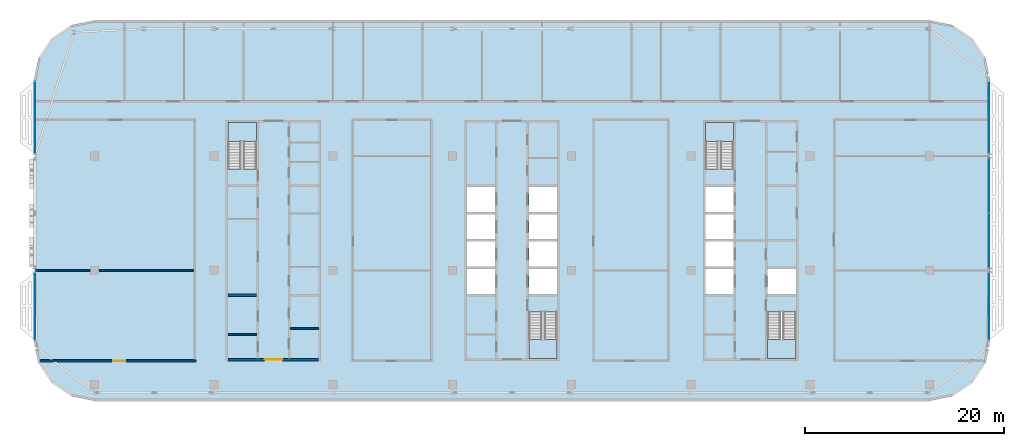
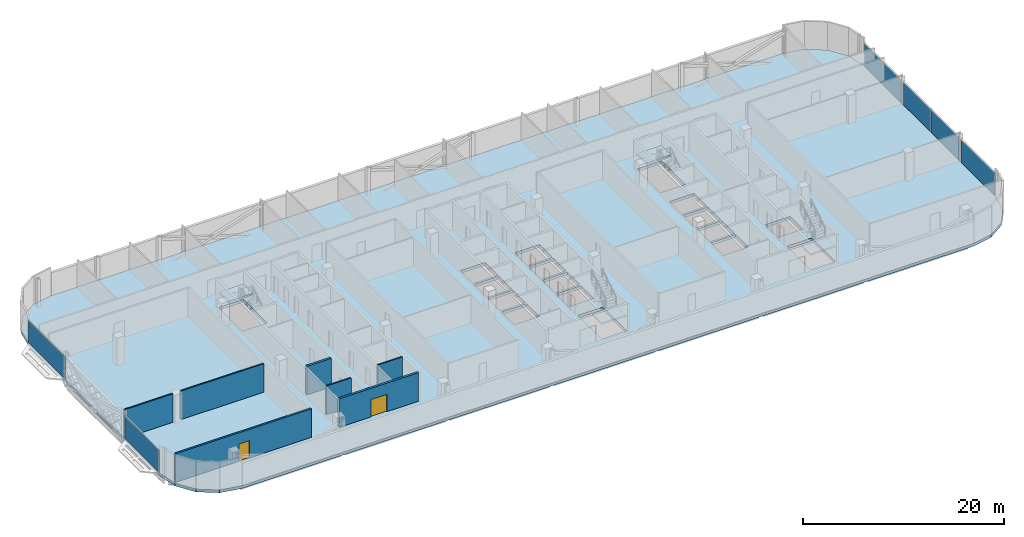
# One storey, part 12 of 29: 7 walls, 6 plates, 5 slabs, 2 doors, 2 openings, 9 elements without a shape of their own.
"""IFC4 building model written with IfcOpenShell, lengths in metres."""

from ifc_helpers import new_model, si_unit, direction, frame, frame_2d, origin, origin_2d, place, context, subcontext, project, spatial, polyline, rectangle, outline, extrude, material, layer, layer_set, type_object, element, fill, aggregate, save


model = new_model("IFC4")

# Units and contexts
model_context = context("Model", 3, precision=1e-05, world=origin(), true_north=direction((0.0, 1.0)))
body_context = subcontext(model_context, "Body", "Model", "MODEL_VIEW")
ifc_project = project(units=[si_unit("LENGTHUNIT", "METRE"), si_unit("AREAUNIT", "SQUARE_METRE"), si_unit("VOLUMEUNIT", "CUBIC_METRE"), si_unit("PLANEANGLEUNIT", "RADIAN"), si_unit("MASSUNIT", "GRAM", prefix="KILO")], contexts=[model_context])

# Site, building, storey
site_placement = place(None, origin())
site = spatial("IfcSite", under=ifc_project, at=site_placement, CompositionType="ELEMENT")
building_placement = place(site_placement, origin())
building = spatial("IfcBuilding", under=site, at=building_placement, Name="Mahtab Terrace Research Tower", CompositionType="ELEMENT")
storey_placement = place(building_placement, frame((0.0, 0.0, 274.699951171875)))
storey = spatial("IfcBuildingStorey", under=building, at=storey_placement, Name="L67", CompositionType="ELEMENT", Elevation=274.699951171875)

# Stair, slab
ifc_material_1 = material(Name="Exit stair half-turn")
stair_type = type_object("IfcStairType", Name="Exit stair half-turn", PredefinedType="HALF_TURN_STAIR", material=ifc_material_1)
stair_1_placement = place(storey_placement, origin())
stair_1 = element("IfcStair", 1, at=stair_1_placement, inside=storey, type_object=stair_type, Name="L67 Protected exit stair ST1", PredefinedType="HALF_TURN_STAIR")
ifc_material_2 = material(Name="Concrete C40/50", Category="concrete")
ifc_layer_1 = layer(ifc_material_2, 0.199951171875)
ifc_layer_set_1 = layer_set([ifc_layer_1], Name="Exit stair landing 200")
slab_type_1 = type_object("IfcSlabType", Name="Exit stair landing 200", PredefinedType="LANDING", material=ifc_layer_set_1)
slab_1_placement = place(storey_placement, frame((0.0, 0.0, 1.699951171875)))
slab_1 = element("IfcSlab", 2, at=slab_1_placement, type_object=slab_type_1, Name="ST1 landing 1", PredefinedType="LANDING", context=body_context, shape_type="SweptSolid", body=[
    extrude(outline(polyline([(-25.699951171875, 12.97509765625), (-25.699951171875, 14.875), (-28.550048828125, 14.875), (-28.550048828125, 12.97509765625), (-25.699951171875, 12.97509765625)])), origin(), (0.0, 0.0, 1.0), 0.2001953125),
])
aggregate(stair_1, [slab_1])

stair_2_placement = place(storey_placement, origin())
stair_2 = element("IfcStair", 3, at=stair_2_placement, inside=storey, type_object=stair_type, Name="L67 Protected exit stair ST2", PredefinedType="HALF_TURN_STAIR")
slab_2_placement = place(storey_placement, frame((0.0, 0.0, 1.699951171875)))
slab_2 = element("IfcSlab", 4, at=slab_2_placement, type_object=slab_type_1, Name="ST2 landing 1", PredefinedType="LANDING", context=body_context, shape_type="SweptSolid", body=[
    extrude(outline(polyline([(1.699951171875, -6.97509765625), (1.699951171875, -8.875), (4.550048828125, -8.875), (4.550048828125, -6.97509765625), (1.699951171875, -6.97509765625)])), origin(), (0.0, 0.0, 1.0), 0.2001953125),
])
aggregate(stair_2, [slab_2])

stair_3_placement = place(storey_placement, origin())
stair_3 = element("IfcStair", 5, at=stair_3_placement, inside=storey, type_object=stair_type, Name="L67 Protected exit stair ST3", PredefinedType="HALF_TURN_STAIR")
slab_3_placement = place(storey_placement, frame((0.0, 0.0, 1.699951171875)))
slab_3 = element("IfcSlab", 6, at=slab_3_placement, type_object=slab_type_1, Name="ST3 landing 1", PredefinedType="LANDING", context=body_context, shape_type="SweptSolid", body=[
    extrude(outline(polyline([(22.300048828125, 12.97509765625), (22.300048828125, 14.875), (19.449951171875, 14.875), (19.449951171875, 12.97509765625), (22.300048828125, 12.97509765625)])), origin(), (0.0, 0.0, 1.0), 0.2001953125),
])
aggregate(stair_3, [slab_3])

stair_4_placement = place(storey_placement, origin())
stair_4 = element("IfcStair", 7, at=stair_4_placement, inside=storey, type_object=stair_type, Name="L67 Protected exit stair ST4", PredefinedType="HALF_TURN_STAIR")
slab_4_placement = place(storey_placement, frame((0.0, 0.0, 1.699951171875)))
slab_4 = element("IfcSlab", 8, at=slab_4_placement, type_object=slab_type_1, Name="ST4 landing 1", PredefinedType="LANDING", context=body_context, shape_type="SweptSolid", body=[
    extrude(outline(polyline([(25.699951171875, -6.97509765625), (25.699951171875, -8.875), (28.550048828125, -8.875), (28.550048828125, -6.97509765625), (25.699951171875, -6.97509765625)])), origin(), (0.0, 0.0, 1.0), 0.2001953125),
])
aggregate(stair_4, [slab_4])

# Curtain wall, plate
ifc_material_3 = material(Name="Office ribbon curtain wall")
curtain_wall_type = type_object("IfcCurtainWallType", Name="Office ribbon curtain wall", PredefinedType="NOTDEFINED", material=ifc_material_3)
curtain_wall_1_placement = place(storey_placement, origin())
curtain_wall_1 = element("IfcCurtainWall", 9, at=curtain_wall_1_placement, inside=storey, type_object=curtain_wall_type, Name="EN.L67.8.8", PredefinedType="NOTDEFINED")
ifc_material_4 = material(Name="Dark glazing", Category="glass")
ifc_layer_2 = layer(ifc_material_4, 0.030029296875)
ifc_layer_set_2 = layer_set([ifc_layer_2], Name="Office ribbon curtain wall glazing panel")
plate_type = type_object("IfcPlateType", Name="Office ribbon curtain wall glazing panel", PredefinedType="CURTAIN_PANEL", material=ifc_layer_set_2)
plate_1_placement = place(storey_placement, frame((-48.0, 15.3583984375, 0.0), z_axis=(0.0, 0.0, 1.0), x_axis=(0.0, -1.0, 0.0)))
plate_1 = element("IfcPlate", 10, at=plate_1_placement, type_object=plate_type, Name="CWO-8 panel 1", PredefinedType="CURTAIN_PANEL", context=body_context, shape_type="SweptSolid", body=[
    extrude(rectangle(XDim=7.220947265625, YDim=0.030029296875, at=origin_2d()), origin(), (0.0, 0.0, 1.0), 2.7529296875),
])
aggregate(curtain_wall_1, [plate_1])

curtain_wall_2_placement = place(storey_placement, origin())
curtain_wall_2 = element("IfcCurtainWall", 11, at=curtain_wall_2_placement, inside=storey, type_object=curtain_wall_type, Name="EN.L67.8.10", PredefinedType="NOTDEFINED")
plate_2_placement = place(storey_placement, frame((-48.0, -3.6083984375, 0.0), z_axis=(0.0, 0.0, 1.0), x_axis=(0.0, -1.0, 0.0)))
plate_2 = element("IfcPlate", 12, at=plate_2_placement, type_object=plate_type, Name="CWO-8 panel 1", PredefinedType="CURTAIN_PANEL", context=body_context, shape_type="SweptSolid", body=[
    extrude(rectangle(XDim=6.720947265625, YDim=0.030029296875, at=origin_2d()), origin(), (0.0, 0.0, 1.0), 2.7529296875),
])
aggregate(curtain_wall_2, [plate_2])

curtain_wall_3_placement = place(storey_placement, origin())
curtain_wall_3 = element("IfcCurtainWall", 13, at=curtain_wall_3_placement, inside=storey, type_object=curtain_wall_type, Name="EN.L67.18.22", PredefinedType="NOTDEFINED")
plate_3_placement = place(storey_placement, frame((48.0, -3.6083984375, 0.0), z_axis=(0.0, 0.0, 1.0), x_axis=(0.0, 1.0, 0.0)))
plate_3 = element("IfcPlate", 14, at=plate_3_placement, type_object=plate_type, Name="CWO-8 panel 1", PredefinedType="CURTAIN_PANEL", context=body_context, shape_type="SweptSolid", body=[
    extrude(rectangle(XDim=6.720947265625, YDim=0.030029296875, at=origin_2d()), origin(), (0.0, 0.0, 1.0), 2.7529296875),
])
aggregate(curtain_wall_3, [plate_3])

# Curtain wall, plates
curtain_wall_4_placement = place(storey_placement, origin())
curtain_wall_4 = element("IfcCurtainWall", 15, at=curtain_wall_4_placement, inside=storey, type_object=curtain_wall_type, Name="EN.L67.18.23", PredefinedType="NOTDEFINED")
plate_4_placement = place(storey_placement, frame((48.0, 2.98388671875, 0.0), z_axis=(0.0, 0.0, 1.0), x_axis=(0.0, 1.0, 0.0)))
plate_4 = element("IfcPlate", 16, at=plate_4_placement, type_object=plate_type, Name="CWO-8 panel 1", PredefinedType="CURTAIN_PANEL", context=body_context, shape_type="SweptSolid", body=[
    extrude(rectangle(XDim=5.471923828125, YDim=0.030029296875, at=origin_2d()), origin(), (0.0, 0.0, 1.0), 2.7529296875),
])
plate_5_placement = place(storey_placement, frame((48.0, 8.51611328125, 0.0), z_axis=(0.0, 0.0, 1.0), x_axis=(0.0, 1.0, 0.0)))
plate_5 = element("IfcPlate", 17, at=plate_5_placement, type_object=plate_type, Name="CWO-8 panel 2", PredefinedType="CURTAIN_PANEL", context=body_context, shape_type="SweptSolid", body=[
    extrude(rectangle(XDim=5.471923828125, YDim=0.030029296875, at=origin_2d()), origin(), (0.0, 0.0, 1.0), 2.7529296875),
])
aggregate(curtain_wall_4, [plate_4, plate_5])

# Curtain wall, plate
curtain_wall_5_placement = place(storey_placement, origin())
curtain_wall_5 = element("IfcCurtainWall", 18, at=curtain_wall_5_placement, inside=storey, type_object=curtain_wall_type, Name="EN.L67.18.24", PredefinedType="NOTDEFINED")
plate_6_placement = place(storey_placement, frame((48.0, 15.3583984375, 0.0), z_axis=(0.0, 0.0, 1.0), x_axis=(0.0, 1.0, 0.0)))
plate_6 = element("IfcPlate", 19, at=plate_6_placement, type_object=plate_type, Name="CWO-8 panel 1", PredefinedType="CURTAIN_PANEL", context=body_context, shape_type="SweptSolid", body=[
    extrude(rectangle(XDim=7.220947265625, YDim=0.030029296875, at=origin_2d()), origin(), (0.0, 0.0, 1.0), 2.7529296875),
])
aggregate(curtain_wall_5, [plate_6])

# Slab
ifc_layer_3 = layer(ifc_material_2, 0.340087890625)
ifc_layer_set_3 = layer_set([ifc_layer_3], Name="PT flat slab 340")
slab_type_2 = type_object("IfcSlabType", Name="PT flat slab 340", PredefinedType="FLOOR", material=ifc_layer_set_3)
slab_5_placement = place(storey_placement, frame((0.0, 0.0, -0.33984375)))
element("IfcSlab", 20, at=slab_5_placement, inside=storey, type_object=slab_type_2, Name="Floor slab L67", PredefinedType="FLOOR", context=body_context, shape_type="SweptSolid", body=[
    extrude(outline(polyline([(47.54296875, 21.324951171875), (46.242919921875, 23.27197265625), (44.2958984375, 24.572021484375), (42.0, 25.029052734375), (-42.0, 25.029052734375), (-44.2958984375, 24.572021484375), (-46.242919921875, 23.27197265625), (-47.54296875, 21.324951171875), (-48.0, 19.029052734375), (-48.0, -7.029052734375), (-47.54296875, -9.324951171875), (-46.242919921875, -11.27197265625), (-44.2958984375, -12.572021484375), (-42.0, -13.029052734375), (42.0, -13.029052734375), (44.2958984375, -12.572021484375), (46.242919921875, -11.27197265625), (47.54296875, -9.324951171875), (48.0, -7.029052734375), (48.0, 19.029052734375), (47.54296875, 21.324951171875)]), holes=[polyline([(-4.550048828125, -2.375), (-4.550048828125, 0.125), (-1.699951171875, 0.125), (-1.699951171875, -2.375), (-4.550048828125, -2.375)]), polyline([(1.699951171875, -2.375), (1.699951171875, 0.125), (4.550048828125, 0.125), (4.550048828125, -2.375), (1.699951171875, -2.375)]), polyline([(-4.550048828125, 0.375), (-4.550048828125, 2.875), (-1.699951171875, 2.875), (-1.699951171875, 0.375), (-4.550048828125, 0.375)]), polyline([(1.699951171875, 0.375), (1.699951171875, 2.875), (4.550048828125, 2.875), (4.550048828125, 0.375), (1.699951171875, 0.375)]), polyline([(-4.550048828125, 3.125), (-4.550048828125, 5.625), (-1.699951171875, 5.625), (-1.699951171875, 3.125), (-4.550048828125, 3.125)]), polyline([(1.699951171875, 3.125), (1.699951171875, 5.625), (4.550048828125, 5.625), (4.550048828125, 3.125), (1.699951171875, 3.125)]), polyline([(-4.550048828125, 5.875), (-4.550048828125, 8.375), (-1.699951171875, 8.375), (-1.699951171875, 5.875), (-4.550048828125, 5.875)]), polyline([(1.699951171875, 5.875), (1.699951171875, 8.375), (4.550048828125, 8.375), (4.550048828125, 5.875), (1.699951171875, 5.875)]), polyline([(-28.550048828125, 10.177001953125), (-28.550048828125, 14.875), (-25.699951171875, 14.875), (-25.699951171875, 10.177001953125), (-28.550048828125, 10.177001953125)]), polyline([(1.699951171875, -8.875), (1.699951171875, -4.177001953125), (4.550048828125, -4.177001953125), (4.550048828125, -8.875), (1.699951171875, -8.875)]), polyline([(25.699951171875, -8.875), (25.699951171875, -4.177001953125), (28.550048828125, -4.177001953125), (28.550048828125, -8.875), (25.699951171875, -8.875)]), polyline([(19.449951171875, -2.375), (19.449951171875, 0.125), (22.300048828125, 0.125), (22.300048828125, -2.375), (19.449951171875, -2.375)]), polyline([(25.699951171875, -2.375), (25.699951171875, 0.125), (28.550048828125, 0.125), (28.550048828125, -2.375), (25.699951171875, -2.375)]), polyline([(19.449951171875, 0.375), (19.449951171875, 2.875), (22.300048828125, 2.875), (22.300048828125, 0.375), (19.449951171875, 0.375)]), polyline([(19.449951171875, 3.125), (19.449951171875, 5.625), (22.300048828125, 5.625), (22.300048828125, 3.125), (19.449951171875, 3.125)]), polyline([(19.449951171875, 8.375), (22.300048828125, 8.375), (22.300048828125, 5.875), (19.449951171875, 5.875), (19.449951171875, 8.375)]), polyline([(19.449951171875, 14.875), (22.300048828125, 14.875), (22.300048828125, 10.177001953125), (19.449951171875, 10.177001953125), (19.449951171875, 14.875)])]), origin(), (0.0, 0.0, 1.0), 0.33984375),
])

# Walls
ifc_material_5 = material(Name="Gypsum board partition")
ifc_layer_4 = layer(ifc_material_5, 0.14990234375)
ifc_layer_set_4 = layer_set([ifc_layer_4], Name="Core partition 150")
wall_type_1 = type_object("IfcWallType", Name="Core partition 150", PredefinedType="PARTITIONING", material=ifc_layer_set_4)
for number, where, z_axis, x_axis, name in (
    (21, (-28.550048828125, -6.47509765625, 0.0), (0.0, 0.0, 1.0), (1.0, 0.0, 0.0), "Core wall A pWS-948"),
    (22, (-22.300048828125, -5.875, 0.0), (0.0, 0.0, 1.0), (1.0, 0.0, 0.0), "Core wall A pES-888"),
):
    element("IfcWall", number, at=place(storey_placement, frame(where, z_axis=z_axis, x_axis=x_axis)), inside=storey, type_object=wall_type_1, Name=name, PredefinedType="PARTITIONING", context=body_context, shape_type="SweptSolid", body=[
        extrude(rectangle(XDim=2.85009765625, YDim=0.14990234375, at=frame_2d((1.425048828125, 0.0))), origin(), (0.0, 0.0, 1.0), 3.4599609375),
    ])

# Wall, opening, door
ifc_material_6 = material(Name="Concrete C70/85", Category="concrete")
ifc_layer_5 = layer(ifc_material_6, 0.25)
ifc_layer_set_5 = layer_set([ifc_layer_5], Name="Core wall 250")
wall_type_2 = type_object("IfcWallType", Name="Core wall 250", PredefinedType="SOLIDWALL", material=ifc_layer_set_5)
wall_1_placement = place(storey_placement, frame((-19.449951171875, -9.0, 0.0), z_axis=(0.0, 0.0, 1.0), x_axis=(-1.0, 0.0, 0.0)))
wall_1 = element("IfcWall", 23, at=wall_1_placement, inside=storey, type_object=wall_type_2, Name="Core wall A endS", PredefinedType="SOLIDWALL", context=body_context, shape_type="SweptSolid", body=[
    extrude(rectangle(XDim=9.10009765625, YDim=0.25, at=frame_2d((4.550048828125, 0.0))), origin(), (0.0, 0.0, 1.0), 3.4599609375),
])
opening_1_placement = place(wall_1_placement, frame((3.64990234375, 0.0, 0.0)))
opening_1 = element("IfcOpeningElement", 24, at=opening_1_placement, cuts=wall_1, Name="Opening A-S1", PredefinedType="OPENING", context=body_context, shape_type="SweptSolid", body=[
    extrude(rectangle(XDim=1.800048828125, YDim=2.10009765625, at=frame_2d((0.89990234375, 1.050048828125))), frame((0.0, 0.135009765625, 0.0), z_axis=(0.0, -1.0, 0.0), x_axis=(1.0, 0.0, 0.0)), (0.0, 0.0, 1.0), 0.27001953125),
])
ifc_material_7 = material(Name="Steel fire door", Category="steel")
door_type_1 = type_object("IfcDoorType", Name="Lobby double door 1800x2100 1 HR", OperationType="DOUBLE_DOOR_SINGLE_SWING", PredefinedType="DOOR", material=ifc_material_7)
door_1_placement = place(opening_1_placement, origin())
door_1 = element("IfcDoor", 25, at=door_1_placement, inside=storey, type_object=door_type_1, Name="Core entrance door A S", OperationType="DOUBLE_DOOR_SINGLE_SWING", OverallHeight=2.10009765625, OverallWidth=1.800048828125, PredefinedType="DOOR", context=body_context, shape_type="SweptSolid", body=[
    extrude(rectangle(XDim=1.800048828125, YDim=2.10009765625, at=frame_2d((0.89990234375, 1.050048828125))), frame((0.0, 0.02490234375, 0.0), z_axis=(0.0, -1.0, 0.0), x_axis=(1.0, 0.0, 0.0)), (0.0, 0.0, 1.0), 0.050048828125),
])
fill(opening_1, door_1)

# Wall
wall_2_placement = place(storey_placement, frame((-28.550048828125, -2.5, 0.0), z_axis=(0.0, 0.0, 1.0), x_axis=(1.0, 0.0, 0.0)))
element("IfcWall", 26, at=wall_2_placement, inside=storey, type_object=wall_type_2, Name="Core wall A divW0", PredefinedType="SOLIDWALL", context=body_context, shape_type="SweptSolid", body=[
    extrude(rectangle(XDim=2.85009765625, YDim=0.25, at=frame_2d((1.425048828125, 0.0))), origin(), (0.0, 0.0, 1.0), 3.4599609375),
])

# Wall, opening, door
ifc_material_8 = material(Name="Gypsum board corridor wall on steel studs", Category="steel")
ifc_layer_6 = layer(ifc_material_8, 0.199951171875)
ifc_layer_set_6 = layer_set([ifc_layer_6], Name="WALL CORRIDOR 200")
wall_type_3 = type_object("IfcWallType", Name="WALL CORRIDOR 200", PredefinedType="PARTITIONING", material=ifc_layer_set_6)
wall_3_placement = place(storey_placement, frame((-47.43017578125, -9.125, 0.0), z_axis=(0.0, 0.0, 1.0), x_axis=(1.0, 0.0, 0.0)))
wall_3 = element("IfcWall", 27, at=wall_3_placement, inside=storey, type_object=wall_type_3, Name="L67-W001", PredefinedType="PARTITIONING", context=body_context, shape_type="SweptSolid", body=[
    extrude(rectangle(XDim=15.630126953125, YDim=0.199951171875, at=frame_2d((7.81494140625, 0.0))), origin(), (0.0, 0.0, 1.0), 3.4599609375),
])
opening_2_placement = place(wall_3_placement, frame((7.300048828125, 0.0, 0.0)))
opening_2 = element("IfcOpeningElement", 28, at=opening_2_placement, cuts=wall_3, Name="Opening L67-101", PredefinedType="OPENING", context=body_context, shape_type="SweptSolid", body=[
    extrude(rectangle(XDim=1.199951171875, YDim=2.10009765625, at=frame_2d((0.60009765625, 1.050048828125))), frame((0.0, 0.10986328125, 0.0), z_axis=(0.0, -1.0, 0.0), x_axis=(1.0, 0.0, 0.0)), (0.0, 0.0, 1.0), 0.219970703125),
])
ifc_material_9 = material(Name="Timber door leaf in steel frame", Category="steel")
door_type_2 = type_object("IfcDoorType", Name="DOOR 1200X2100 FD30S", OperationType="SINGLE_SWING_LEFT", PredefinedType="DOOR", material=ifc_material_9)
door_2_placement = place(opening_2_placement, origin())
door_2 = element("IfcDoor", 29, at=door_2_placement, inside=storey, type_object=door_type_2, Name="Door L67-101", OperationType="SINGLE_SWING_RIGHT", OverallHeight=2.10009765625, OverallWidth=1.199951171875, PredefinedType="DOOR", context=body_context, shape_type="SweptSolid", body=[
    extrude(rectangle(XDim=1.199951171875, YDim=2.10009765625, at=frame_2d((0.60009765625, 1.050048828125))), frame((0.0, 0.02490234375, 0.0), z_axis=(0.0, -1.0, 0.0), x_axis=(1.0, 0.0, 0.0)), (0.0, 0.0, 1.0), 0.050048828125),
])
fill(opening_2, door_2)

# Walls
ifc_material_10 = material(Name="Gypsum board partition on steel studs", Category="steel")
ifc_layer_7 = layer(ifc_material_10, 0.14990234375)
ifc_layer_set_7 = layer_set([ifc_layer_7], Name="WALL PARTITION 150")
wall_type_4 = type_object("IfcWallType", Name="WALL PARTITION 150", PredefinedType="PARTITIONING", material=ifc_layer_set_7)
wall_4_placement = place(storey_placement, frame((-47.97509765625, 0.0, 0.0), z_axis=(0.0, 0.0, 1.0), x_axis=(1.0, 0.0, 0.0)))
element("IfcWall", 30, at=wall_4_placement, inside=storey, type_object=wall_type_4, Name="L67-W005", PredefinedType="PARTITIONING", context=body_context, shape_type="SweptSolid", body=[
    extrude(rectangle(XDim=5.525146484375, YDim=0.14990234375, at=frame_2d((2.7626953125, 0.0))), origin(), (0.0, 0.0, 1.0), 3.4599609375),
])
wall_5_placement = place(storey_placement, frame((-41.550048828125, 0.0, 0.0), z_axis=(0.0, 0.0, 1.0), x_axis=(1.0, 0.0, 0.0)))
element("IfcWall", 31, at=wall_5_placement, inside=storey, type_object=wall_type_4, Name="L67-W006", PredefinedType="PARTITIONING", context=body_context, shape_type="SweptSolid", body=[
    extrude(rectangle(XDim=9.550048828125, YDim=0.14990234375, at=frame_2d((4.77490234375, 0.0))), origin(), (0.0, 0.0, 1.0), 3.4599609375),
])

save(model, "model.ifc")
